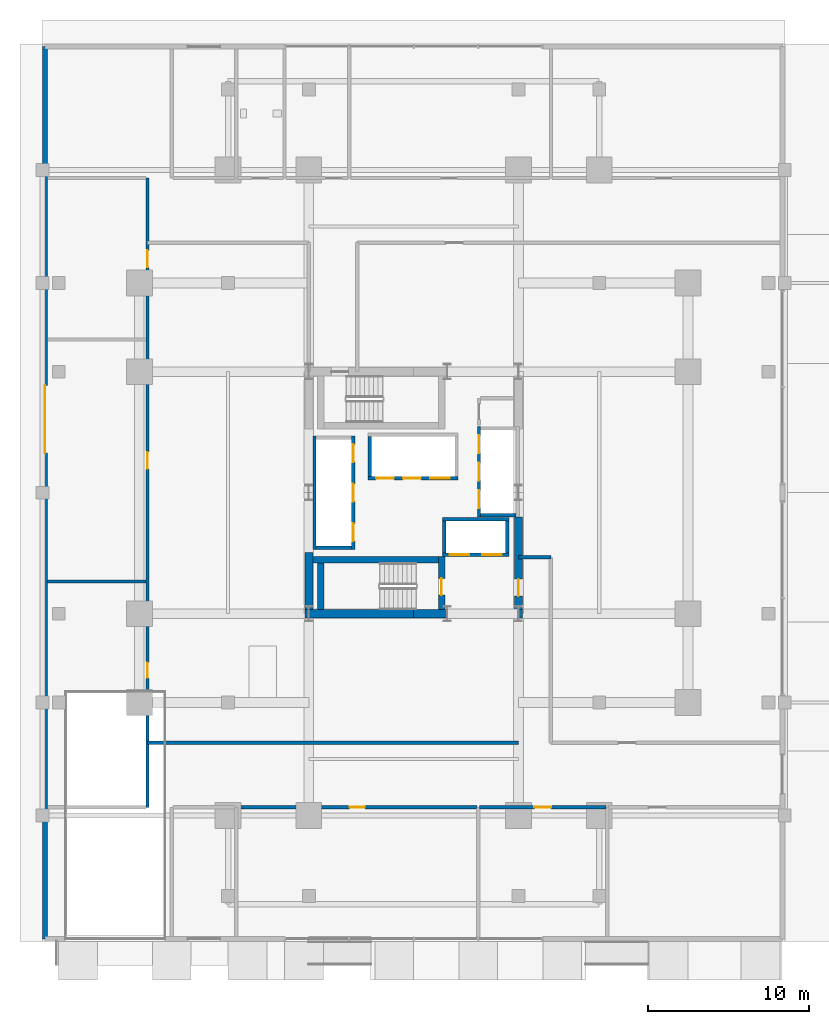
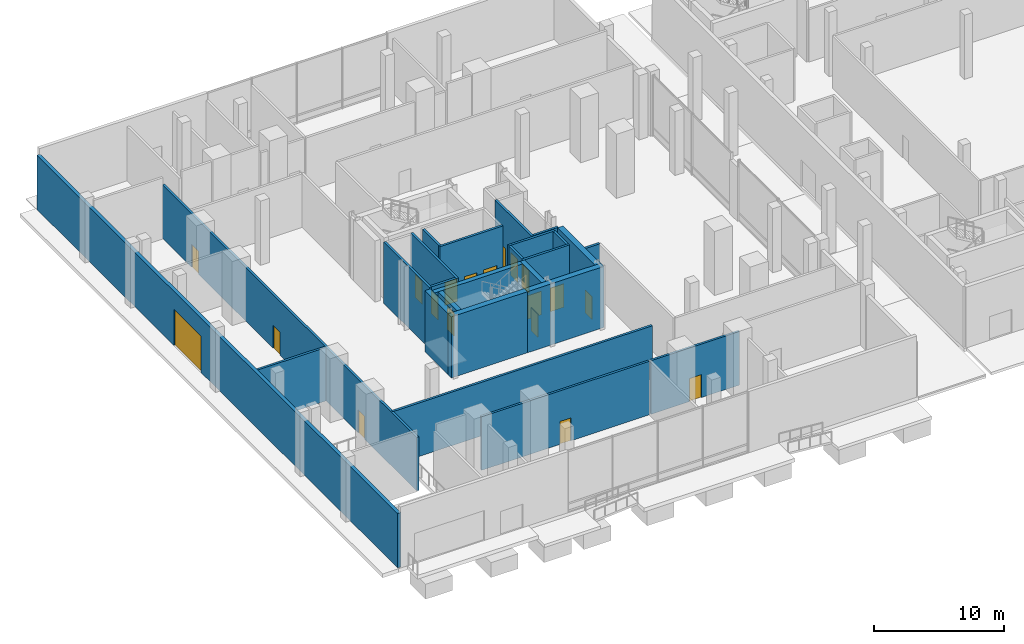
# One storey, part 25 of 34: 25 walls, 19 doors, 19 openings.
"""IFC4 building model written with IfcOpenShell, lengths in metres."""

from ifc_helpers import new_model, si_unit, direction, frame, frame_2d, origin, place, context, subcontext, project, spatial, rectangle, extrude, material, layer, layer_set, type_object, element, fill, save


model = new_model("IFC4")

# Units and contexts
model_context = context("Model", 3, precision=1e-05, world=origin(), true_north=direction((0.0, 1.0)))
body_context = subcontext(model_context, "Body", "Model", "MODEL_VIEW")
ifc_project = project(units=[si_unit("LENGTHUNIT", "METRE"), si_unit("AREAUNIT", "SQUARE_METRE"), si_unit("VOLUMEUNIT", "CUBIC_METRE"), si_unit("PLANEANGLEUNIT", "RADIAN"), si_unit("MASSUNIT", "GRAM", prefix="KILO")], contexts=[model_context])

# Site, building, storey
site_placement = place(None, origin())
site = spatial("IfcSite", under=ifc_project, at=site_placement, CompositionType="ELEMENT")
building_placement = place(site_placement, origin())
building = spatial("IfcBuilding", under=site, at=building_placement, Name="Barlavira Tower and Art Museum", CompositionType="ELEMENT")
storey_placement = place(building_placement, origin())
storey = spatial("IfcBuildingStorey", under=building, at=storey_placement, Name="L00", CompositionType="ELEMENT", Elevation=0.0)

# Walls
ifc_material_1 = material(Name="Concrete C60", Category="concrete")
ifc_layer_1 = layer(ifc_material_1, 0.5, Name="Concrete C60")
ifc_layer_set_1 = layer_set([ifc_layer_1], Name="Concrete C60")
wall_type_1 = type_object("IfcWallType", Name="Core Structural Shear Wall 500 Concrete C60", PredefinedType="SHEAR", material=ifc_layer_set_1)
for number, where, z_axis, x_axis, name in (
    (1, (-6.75, -7.5, 0.0), (0.0, 0.0, 1.0), (1.0, 0.0, 0.0), "L00 Core Shear Wall CS-SW"),
    (2, (0.0, -7.5, 0.0), (0.0, 0.0, 1.0), (1.0, 0.0, 0.0), "L00 Core Shear Wall CS-SE"),
):
    element("IfcWall", number, at=place(storey_placement, frame(where, z_axis=z_axis, x_axis=x_axis)), inside=storey, type_object=wall_type_1, Name=name, PredefinedType="SHEAR", context=body_context, shape_type="SweptSolid", body=[
        extrude(rectangle(XDim=6.75, YDim=0.5, at=frame_2d((3.375, 0.0))), origin(), (0.0, 0.0, 1.0), 5.719970703125),
    ])
wall_1_placement = place(storey_placement, frame((-6.5, -7.25, 0.0), z_axis=(0.0, 0.0, 1.0), x_axis=(0.0, 1.0, 0.0)))
element("IfcWall", 3, at=wall_1_placement, inside=storey, type_object=wall_type_1, Name="L00 Core Shear Wall CS-W1", PredefinedType="SHEAR", context=body_context, shape_type="SweptSolid", body=[
    extrude(rectangle(XDim=3.550048828125, YDim=0.5, at=frame_2d((1.77490234375, 0.0))), origin(), (0.0, 0.0, 1.0), 5.719970703125),
])

# Wall, opening, door
wall_2_placement = place(storey_placement, frame((6.5, -7.25, 0.0), z_axis=(0.0, 0.0, 1.0), x_axis=(0.0, 1.0, 0.0)))
wall_2 = element("IfcWall", 4, at=wall_2_placement, inside=storey, type_object=wall_type_1, Name="L00 Core Shear Wall CS-E1", PredefinedType="SHEAR", context=body_context, shape_type="SweptSolid", body=[
    extrude(rectangle(XDim=5.75, YDim=0.5, at=frame_2d((2.875, 0.0))), origin(), (0.0, 0.0, 1.0), 5.719970703125),
])
opening_1_placement = place(wall_2_placement, frame((0.85009765625, 0.0, 0.0)))
opening_1 = element("IfcOpeningElement", 5, at=opening_1_placement, cuts=wall_2, Name="Opening FD-90", PredefinedType="OPENING", context=body_context, shape_type="SweptSolid", body=[
    extrude(rectangle(XDim=1.050048828125, YDim=2.14990234375, at=frame_2d((0.52490234375, 1.074951171875))), frame((0.0, 0.260009765625, 0.0), z_axis=(0.0, -1.0, 0.0), x_axis=(1.0, 0.0, 0.0)), (0.0, 0.0, 1.0), 0.52001953125),
])
ifc_material_2 = material(Name="Brushed stainless steel", Category="steel")
door_type_1 = type_object("IfcDoorType", Name="Stair and Refuge Fire Door 1050x2150 FD90S", OperationType="NOTDEFINED", PredefinedType="DOOR", material=ifc_material_2)
door_1_placement = place(opening_1_placement, origin())
door_1 = element("IfcDoor", 6, at=door_1_placement, inside=storey, type_object=door_type_1, Name="L00 Firefighting Lobby Entry Fire Door", OperationType="SINGLE_SWING_LEFT", OverallHeight=2.14990234375, OverallWidth=1.050048828125, PredefinedType="DOOR", context=body_context, shape_type="SweptSolid", body=[
    extrude(rectangle(XDim=1.050048828125, YDim=2.14990234375, at=frame_2d((0.52490234375, 1.074951171875))), frame((0.0, 0.02490234375, 0.0), z_axis=(0.0, -1.0, 0.0), x_axis=(1.0, 0.0, 0.0)), (0.0, 0.0, 1.0), 0.050048828125),
])
fill(opening_1, door_1)

# Wall, openings, doors
ifc_material_3 = material(Name="Autoclaved aerated concrete masonry", Category="masonry")
ifc_layer_2 = layer(ifc_material_3, 0.199951171875, Name="Autoclaved aerated concrete masonry")
ifc_layer_set_2 = layer_set([ifc_layer_2], Name="Autoclaved aerated concrete masonry")
wall_type_2 = type_object("IfcWallType", Name="Fire Compartment and Shaft Wall 200", PredefinedType="SOLIDWALL", material=ifc_layer_set_2)
wall_3_placement = place(storey_placement, frame((-3.75, -3.510009765625, 0.0), z_axis=(0.0, 0.0, 1.0), x_axis=(0.0, 1.0, 0.0)))
wall_3 = element("IfcWall", 7, at=wall_3_placement, inside=storey, type_object=wall_type_2, Name="L00 Low-Rise Lift Front Shaft Wall", PredefinedType="SOLIDWALL", context=body_context, shape_type="SweptSolid", body=[
    extrude(rectangle(XDim=7.02001953125, YDim=0.199951171875, at=frame_2d((3.510009765625, 0.0))), origin(), (0.0, 0.0, 1.0), 5.719970703125),
])
opening_2_placement = place(wall_3_placement, frame((0.510009765625, 0.0, 0.0)))
opening_2 = element("IfcOpeningElement", 8, at=opening_2_placement, cuts=wall_3, Name="Opening LD-P", PredefinedType="OPENING", context=body_context, shape_type="SweptSolid", body=[
    extrude(rectangle(XDim=1.10009765625, YDim=2.14990234375, at=frame_2d((0.550048828125, 1.074951171875))), frame((0.0, 0.10986328125, 0.0), z_axis=(0.0, -1.0, 0.0), x_axis=(1.0, 0.0, 0.0)), (0.0, 0.0, 1.0), 0.219970703125),
])
opening_3_placement = place(wall_3_placement, frame((2.9599609375, 0.0, 0.0)))
opening_3 = element("IfcOpeningElement", 9, at=opening_3_placement, cuts=wall_3, Name="Opening LD-P", PredefinedType="OPENING", context=body_context, shape_type="SweptSolid", body=[
    extrude(rectangle(XDim=1.10009765625, YDim=2.14990234375, at=frame_2d((0.550048828125, 1.074951171875))), frame((0.0, 0.10986328125, 0.0), z_axis=(0.0, -1.0, 0.0), x_axis=(1.0, 0.0, 0.0)), (0.0, 0.0, 1.0), 0.219970703125),
])
opening_4_placement = place(wall_3_placement, frame((5.409912109375, 0.0, 0.0)))
opening_4 = element("IfcOpeningElement", 10, at=opening_4_placement, cuts=wall_3, Name="Opening LD-P", PredefinedType="OPENING", context=body_context, shape_type="SweptSolid", body=[
    extrude(rectangle(XDim=1.10009765625, YDim=2.14990234375, at=frame_2d((0.550048828125, 1.074951171875))), frame((0.0, 0.10986328125, 0.0), z_axis=(0.0, -1.0, 0.0), x_axis=(1.0, 0.0, 0.0)), (0.0, 0.0, 1.0), 0.219970703125),
])
door_type_2 = type_object("IfcDoorType", Name="Passenger Lift Sliding Landing Door 1100x2150 FD60", OperationType="NOTDEFINED", PredefinedType="DOOR", material=ifc_material_2)
door_2_placement = place(opening_2_placement, origin())
door_2 = element("IfcDoor", 11, at=door_2_placement, inside=storey, type_object=door_type_2, Name="L00 Lift PL1 Sliding Landing Door", OperationType="DOUBLE_DOOR_SLIDING", OverallHeight=2.14990234375, OverallWidth=1.10009765625, PredefinedType="DOOR", context=body_context, shape_type="SweptSolid", body=[
    extrude(rectangle(XDim=1.10009765625, YDim=2.14990234375, at=frame_2d((0.550048828125, 1.074951171875))), frame((0.0, 0.02490234375, 0.0), z_axis=(0.0, -1.0, 0.0), x_axis=(1.0, 0.0, 0.0)), (0.0, 0.0, 1.0), 0.050048828125),
])
fill(opening_2, door_2)
door_3_placement = place(opening_3_placement, origin())
door_3 = element("IfcDoor", 12, at=door_3_placement, inside=storey, type_object=door_type_2, Name="L00 Lift PL2 Sliding Landing Door", OperationType="DOUBLE_DOOR_SLIDING", OverallHeight=2.14990234375, OverallWidth=1.10009765625, PredefinedType="DOOR", context=body_context, shape_type="SweptSolid", body=[
    extrude(rectangle(XDim=1.10009765625, YDim=2.14990234375, at=frame_2d((0.550048828125, 1.074951171875))), frame((0.0, 0.02490234375, 0.0), z_axis=(0.0, -1.0, 0.0), x_axis=(1.0, 0.0, 0.0)), (0.0, 0.0, 1.0), 0.050048828125),
])
fill(opening_3, door_3)
door_4_placement = place(opening_4_placement, origin())
door_4 = element("IfcDoor", 13, at=door_4_placement, inside=storey, type_object=door_type_2, Name="L00 Lift PL3 Sliding Landing Door", OperationType="DOUBLE_DOOR_SLIDING", OverallHeight=2.14990234375, OverallWidth=1.10009765625, PredefinedType="DOOR", context=body_context, shape_type="SweptSolid", body=[
    extrude(rectangle(XDim=1.10009765625, YDim=2.14990234375, at=frame_2d((0.550048828125, 1.074951171875))), frame((0.0, 0.02490234375, 0.0), z_axis=(0.0, -1.0, 0.0), x_axis=(1.0, 0.0, 0.0)), (0.0, 0.0, 1.0), 0.050048828125),
])
fill(opening_4, door_4)

# Walls
wall_4_placement = place(storey_placement, frame((-6.14990234375, -3.510009765625, 0.0), z_axis=(0.0, 0.0, 1.0), x_axis=(0.0, 1.0, 0.0)))
element("IfcWall", 14, at=wall_4_placement, inside=storey, type_object=wall_type_2, Name="L00 Low-Rise Lift Back Shaft Wall", PredefinedType="SOLIDWALL", context=body_context, shape_type="SweptSolid", body=[
    extrude(rectangle(XDim=7.02001953125, YDim=0.199951171875, at=frame_2d((3.510009765625, 0.0))), origin(), (0.0, 0.0, 1.0), 5.719970703125),
])
wall_5_placement = place(storey_placement, frame((-6.050048828125, -3.409912109375, 0.0), z_axis=(0.0, 0.0, 1.0), x_axis=(1.0, 0.0, 0.0)))
element("IfcWall", 15, at=wall_5_placement, inside=storey, type_object=wall_type_2, Name="L00 Low-Rise Lift South Shaft Wall", PredefinedType="SOLIDWALL", context=body_context, shape_type="SweptSolid", body=[
    extrude(rectangle(XDim=2.199951171875, YDim=0.199951171875, at=frame_2d((1.10009765625, 0.0))), origin(), (0.0, 0.0, 1.0), 5.719970703125),
])

# Wall, openings, doors
wall_6_placement = place(storey_placement, frame((4.050048828125, -1.489990234375, 0.0), z_axis=(0.0, 0.0, 1.0), x_axis=(0.0, 1.0, 0.0)))
wall_6 = element("IfcWall", 16, at=wall_6_placement, inside=storey, type_object=wall_type_2, Name="L00 Mid-Rise Lift Front Shaft Wall", PredefinedType="SOLIDWALL", context=body_context, shape_type="SweptSolid", body=[
    extrude(rectangle(XDim=5.580078125, YDim=0.199951171875, at=frame_2d((2.7900390625, 0.0))), origin(), (0.0, 0.0, 1.0), 5.719970703125),
])
opening_5_placement = place(wall_6_placement, frame((0.5400390625, 0.0, 0.0)))
opening_5 = element("IfcOpeningElement", 17, at=opening_5_placement, cuts=wall_6, Name="Opening LD-P", PredefinedType="OPENING", context=body_context, shape_type="SweptSolid", body=[
    extrude(rectangle(XDim=1.10009765625, YDim=2.14990234375, at=frame_2d((0.550048828125, 1.074951171875))), frame((0.0, 0.10986328125, 0.0), z_axis=(0.0, -1.0, 0.0), x_axis=(1.0, 0.0, 0.0)), (0.0, 0.0, 1.0), 0.219970703125),
])
opening_6_placement = place(wall_6_placement, frame((2.239990234375, 0.0, 0.0)))
opening_6 = element("IfcOpeningElement", 18, at=opening_6_placement, cuts=wall_6, Name="Opening LD-P", PredefinedType="OPENING", context=body_context, shape_type="SweptSolid", body=[
    extrude(rectangle(XDim=1.10009765625, YDim=2.14990234375, at=frame_2d((0.550048828125, 1.074951171875))), frame((0.0, 0.10986328125, 0.0), z_axis=(0.0, -1.0, 0.0), x_axis=(1.0, 0.0, 0.0)), (0.0, 0.0, 1.0), 0.219970703125),
])
opening_7_placement = place(wall_6_placement, frame((3.93994140625, 0.0, 0.0)))
opening_7 = element("IfcOpeningElement", 19, at=opening_7_placement, cuts=wall_6, Name="Opening LD-P", PredefinedType="OPENING", context=body_context, shape_type="SweptSolid", body=[
    extrude(rectangle(XDim=1.10009765625, YDim=2.14990234375, at=frame_2d((0.550048828125, 1.074951171875))), frame((0.0, 0.10986328125, 0.0), z_axis=(0.0, -1.0, 0.0), x_axis=(1.0, 0.0, 0.0)), (0.0, 0.0, 1.0), 0.219970703125),
])
door_5_placement = place(opening_5_placement, origin())
door_5 = element("IfcDoor", 20, at=door_5_placement, inside=storey, type_object=door_type_2, Name="L00 Lift PM1 Sliding Landing Door", OperationType="DOUBLE_DOOR_SLIDING", OverallHeight=2.14990234375, OverallWidth=1.10009765625, PredefinedType="DOOR", context=body_context, shape_type="SweptSolid", body=[
    extrude(rectangle(XDim=1.10009765625, YDim=2.14990234375, at=frame_2d((0.550048828125, 1.074951171875))), frame((0.0, 0.02490234375, 0.0), z_axis=(0.0, -1.0, 0.0), x_axis=(1.0, 0.0, 0.0)), (0.0, 0.0, 1.0), 0.050048828125),
])
fill(opening_5, door_5)
door_6_placement = place(opening_6_placement, origin())
door_6 = element("IfcDoor", 21, at=door_6_placement, inside=storey, type_object=door_type_2, Name="L00 Lift PM2 Sliding Landing Door", OperationType="DOUBLE_DOOR_SLIDING", OverallHeight=2.14990234375, OverallWidth=1.10009765625, PredefinedType="DOOR", context=body_context, shape_type="SweptSolid", body=[
    extrude(rectangle(XDim=1.10009765625, YDim=2.14990234375, at=frame_2d((0.550048828125, 1.074951171875))), frame((0.0, 0.02490234375, 0.0), z_axis=(0.0, -1.0, 0.0), x_axis=(1.0, 0.0, 0.0)), (0.0, 0.0, 1.0), 0.050048828125),
])
fill(opening_6, door_6)
door_7_placement = place(opening_7_placement, origin())
door_7 = element("IfcDoor", 22, at=door_7_placement, inside=storey, type_object=door_type_2, Name="L00 Lift PM3 Sliding Landing Door", OperationType="DOUBLE_DOOR_SLIDING", OverallHeight=2.14990234375, OverallWidth=1.10009765625, PredefinedType="DOOR", context=body_context, shape_type="SweptSolid", body=[
    extrude(rectangle(XDim=1.10009765625, YDim=2.14990234375, at=frame_2d((0.550048828125, 1.074951171875))), frame((0.0, 0.02490234375, 0.0), z_axis=(0.0, -1.0, 0.0), x_axis=(1.0, 0.0, 0.0)), (0.0, 0.0, 1.0), 0.050048828125),
])
fill(opening_7, door_7)

# Wall
wall_7_placement = place(storey_placement, frame((4.14990234375, -1.389892578125, 0.0), z_axis=(0.0, 0.0, 1.0), x_axis=(1.0, 0.0, 0.0)))
element("IfcWall", 23, at=wall_7_placement, inside=storey, type_object=wall_type_2, Name="L00 Mid-Rise Lift South Shaft Wall", PredefinedType="SOLIDWALL", context=body_context, shape_type="SweptSolid", body=[
    extrude(rectangle(XDim=2.2001953125, YDim=0.199951171875, at=frame_2d((1.10009765625, 0.0))), origin(), (0.0, 0.0, 1.0), 5.719970703125),
])

# Wall, openings, doors
wall_8_placement = place(storey_placement, frame((-2.820068359375, 0.89990234375, 0.0), z_axis=(0.0, 0.0, 1.0), x_axis=(1.0, 0.0, 0.0)))
wall_8 = element("IfcWall", 24, at=wall_8_placement, inside=storey, type_object=wall_type_2, Name="L00 High-Rise & Service Lift Front Wall", PredefinedType="SOLIDWALL", context=body_context, shape_type="SweptSolid", body=[
    extrude(rectangle(XDim=5.580078125, YDim=0.199951171875, at=frame_2d((2.7900390625, 0.0))), origin(), (0.0, 0.0, 1.0), 5.719970703125),
])
opening_8_placement = place(wall_8_placement, frame((0.489990234375, 0.0, 0.0)))
opening_8 = element("IfcOpeningElement", 25, at=opening_8_placement, cuts=wall_8, Name="Opening LD-P", PredefinedType="OPENING", context=body_context, shape_type="SweptSolid", body=[
    extrude(rectangle(XDim=1.10009765625, YDim=2.14990234375, at=frame_2d((0.550048828125, 1.074951171875))), frame((0.0, 0.10986328125, 0.0), z_axis=(0.0, -1.0, 0.0), x_axis=(1.0, 0.0, 0.0)), (0.0, 0.0, 1.0), 0.219970703125),
])
opening_9_placement = place(wall_8_placement, frame((2.169921875, 0.0, 0.0)))
opening_9 = element("IfcOpeningElement", 26, at=opening_9_placement, cuts=wall_8, Name="Opening LD-P", PredefinedType="OPENING", context=body_context, shape_type="SweptSolid", body=[
    extrude(rectangle(XDim=1.10009765625, YDim=2.14990234375, at=frame_2d((0.550048828125, 1.074951171875))), frame((0.0, 0.10986328125, 0.0), z_axis=(0.0, -1.0, 0.0), x_axis=(1.0, 0.0, 0.0)), (0.0, 0.0, 1.0), 0.219970703125),
])
opening_10_placement = place(wall_8_placement, frame((3.860107421875, 0.0, 0.0)))
opening_10 = element("IfcOpeningElement", 27, at=opening_10_placement, cuts=wall_8, Name="Opening LD-F", PredefinedType="OPENING", context=body_context, shape_type="SweptSolid", body=[
    extrude(rectangle(XDim=1.199951171875, YDim=2.199951171875, at=frame_2d((0.60009765625, 1.10009765625))), frame((0.0, 0.10986328125, 0.0), z_axis=(0.0, -1.0, 0.0), x_axis=(1.0, 0.0, 0.0)), (0.0, 0.0, 1.0), 0.219970703125),
])
door_type_3 = type_object("IfcDoorType", Name="Firefighting and Service Lift Sliding Door 1200x2200 FD120", OperationType="NOTDEFINED", PredefinedType="DOOR", material=ifc_material_2)
door_8_placement = place(opening_10_placement, origin())
door_8 = element("IfcDoor", 28, at=door_8_placement, inside=storey, type_object=door_type_3, Name="L00 Stretcher Service Lift SL1 Sliding Door", OperationType="DOUBLE_DOOR_SLIDING", OverallHeight=2.199951171875, OverallWidth=1.199951171875, PredefinedType="DOOR", context=body_context, shape_type="SweptSolid", body=[
    extrude(rectangle(XDim=1.199951171875, YDim=2.199951171875, at=frame_2d((0.60009765625, 1.10009765625))), frame((0.0, 0.02490234375, 0.0), z_axis=(0.0, -1.0, 0.0), x_axis=(1.0, 0.0, 0.0)), (0.0, 0.0, 1.0), 0.050048828125),
])
fill(opening_10, door_8)
door_9_placement = place(opening_8_placement, origin())
door_9 = element("IfcDoor", 29, at=door_9_placement, inside=storey, type_object=door_type_2, Name="L00 Lift PH1 Sliding Landing Door", OperationType="DOUBLE_DOOR_SLIDING", OverallHeight=2.14990234375, OverallWidth=1.10009765625, PredefinedType="DOOR", context=body_context, shape_type="SweptSolid", body=[
    extrude(rectangle(XDim=1.10009765625, YDim=2.14990234375, at=frame_2d((0.550048828125, 1.074951171875))), frame((0.0, 0.02490234375, 0.0), z_axis=(0.0, -1.0, 0.0), x_axis=(1.0, 0.0, 0.0)), (0.0, 0.0, 1.0), 0.050048828125),
])
fill(opening_8, door_9)
door_10_placement = place(opening_9_placement, origin())
door_10 = element("IfcDoor", 30, at=door_10_placement, inside=storey, type_object=door_type_2, Name="L00 Lift PH2 Sliding Landing Door", OperationType="DOUBLE_DOOR_SLIDING", OverallHeight=2.14990234375, OverallWidth=1.10009765625, PredefinedType="DOOR", context=body_context, shape_type="SweptSolid", body=[
    extrude(rectangle(XDim=1.10009765625, YDim=2.14990234375, at=frame_2d((0.550048828125, 1.074951171875))), frame((0.0, 0.02490234375, 0.0), z_axis=(0.0, -1.0, 0.0), x_axis=(1.0, 0.0, 0.0)), (0.0, 0.0, 1.0), 0.050048828125),
])
fill(opening_9, door_10)

# Wall
wall_9_placement = place(storey_placement, frame((-2.719970703125, 1.0, 0.0), z_axis=(0.0, 0.0, 1.0), x_axis=(0.0, 1.0, 0.0)))
element("IfcWall", 31, at=wall_9_placement, inside=storey, type_object=wall_type_2, Name="L00 High-Rise & Service Lift West Wall", PredefinedType="SOLIDWALL", context=body_context, shape_type="SweptSolid", body=[
    extrude(rectangle(XDim=2.5, YDim=0.199951171875, at=frame_2d((1.25, 0.0))), origin(), (0.0, 0.0, 1.0), 5.719970703125),
])

# Wall, openings, doors
wall_10_placement = place(storey_placement, frame((1.800048828125, -3.85009765625, 0.0), z_axis=(0.0, 0.0, 1.0), x_axis=(1.0, 0.0, 0.0)))
wall_10 = element("IfcWall", 32, at=wall_10_placement, inside=storey, type_object=wall_type_2, Name="L00 Firefighting Lift Front Shaft Wall", PredefinedType="SOLIDWALL", context=body_context, shape_type="SweptSolid", body=[
    extrude(rectangle(XDim=4.099853515625, YDim=0.199951171875, at=frame_2d((2.0498046875, 0.0))), origin(), (0.0, 0.0, 1.0), 5.719970703125),
])
opening_11_placement = place(wall_10_placement, frame((0.449951171875, 0.0, 0.0)))
opening_11 = element("IfcOpeningElement", 33, at=opening_11_placement, cuts=wall_10, Name="Opening LD-F", PredefinedType="OPENING", context=body_context, shape_type="SweptSolid", body=[
    extrude(rectangle(XDim=1.199951171875, YDim=2.199951171875, at=frame_2d((0.60009765625, 1.10009765625))), frame((0.0, 0.10986328125, 0.0), z_axis=(0.0, -1.0, 0.0), x_axis=(1.0, 0.0, 0.0)), (0.0, 0.0, 1.0), 0.219970703125),
])
opening_12_placement = place(wall_10_placement, frame((2.449951171875, 0.0, 0.0)))
opening_12 = element("IfcOpeningElement", 34, at=opening_12_placement, cuts=wall_10, Name="Opening LD-F", PredefinedType="OPENING", context=body_context, shape_type="SweptSolid", body=[
    extrude(rectangle(XDim=1.199951171875, YDim=2.199951171875, at=frame_2d((0.60009765625, 1.10009765625))), frame((0.0, 0.10986328125, 0.0), z_axis=(0.0, -1.0, 0.0), x_axis=(1.0, 0.0, 0.0)), (0.0, 0.0, 1.0), 0.219970703125),
])
door_11_placement = place(opening_11_placement, origin())
door_11 = element("IfcDoor", 35, at=door_11_placement, inside=storey, type_object=door_type_3, Name="L00 Firefighting Lift FF1 Sliding Door", OperationType="DOUBLE_DOOR_SLIDING", OverallHeight=2.199951171875, OverallWidth=1.199951171875, PredefinedType="DOOR", context=body_context, shape_type="SweptSolid", body=[
    extrude(rectangle(XDim=1.199951171875, YDim=2.199951171875, at=frame_2d((0.60009765625, 1.10009765625))), frame((0.0, 0.02490234375, 0.0), z_axis=(0.0, -1.0, 0.0), x_axis=(1.0, 0.0, 0.0)), (0.0, 0.0, 1.0), 0.050048828125),
])
fill(opening_11, door_11)
door_12_placement = place(opening_12_placement, origin())
door_12 = element("IfcDoor", 36, at=door_12_placement, inside=storey, type_object=door_type_3, Name="L00 Firefighting Lift FF2 Sliding Door", OperationType="DOUBLE_DOOR_SLIDING", OverallHeight=2.199951171875, OverallWidth=1.199951171875, PredefinedType="DOOR", context=body_context, shape_type="SweptSolid", body=[
    extrude(rectangle(XDim=1.199951171875, YDim=2.199951171875, at=frame_2d((0.60009765625, 1.10009765625))), frame((0.0, 0.02490234375, 0.0), z_axis=(0.0, -1.0, 0.0), x_axis=(1.0, 0.0, 0.0)), (0.0, 0.0, 1.0), 0.050048828125),
])
fill(opening_12, door_12)

# Walls
wall_11_placement = place(storey_placement, frame((1.800048828125, -1.64990234375, 0.0), z_axis=(0.0, 0.0, 1.0), x_axis=(1.0, 0.0, 0.0)))
element("IfcWall", 37, at=wall_11_placement, inside=storey, type_object=wall_type_2, Name="L00 Firefighting Lift Back Shaft Wall", PredefinedType="SOLIDWALL", context=body_context, shape_type="SweptSolid", body=[
    extrude(rectangle(XDim=4.099853515625, YDim=0.199951171875, at=frame_2d((2.0498046875, 0.0))), origin(), (0.0, 0.0, 1.0), 5.719970703125),
])
for number, where, z_axis, x_axis, name in (
    (38, (1.89990234375, -3.75, 0.0), (0.0, 0.0, 1.0), (0.0, 1.0, 0.0), "L00 Firefighting Lift West Shaft Wall"),
    (39, (5.800048828125, -3.75, 0.0), (0.0, 0.0, 1.0), (0.0, 1.0, 0.0), "L00 Firefighting Lift East Shaft Wall"),
):
    element("IfcWall", number, at=place(storey_placement, frame(where, z_axis=z_axis, x_axis=x_axis)), inside=storey, type_object=wall_type_2, Name=name, PredefinedType="SOLIDWALL", context=body_context, shape_type="SweptSolid", body=[
        extrude(rectangle(XDim=2.0, YDim=0.199951171875, at=frame_2d((1.0, 0.0))), origin(), (0.0, 0.0, 1.0), 5.719970703125),
    ])
wall_12_placement = place(storey_placement, frame((-16.5, -15.5, 0.0), z_axis=(0.0, 0.0, 1.0), x_axis=(1.0, 0.0, 0.0)))
element("IfcWall", 40, at=wall_12_placement, inside=storey, type_object=wall_type_2, Name="L00 South Protected Exit Corridor Wall W", PredefinedType="SOLIDWALL", context=body_context, shape_type="SweptSolid", body=[
    extrude(rectangle(XDim=23.0, YDim=0.199951171875, at=frame_2d((11.5, 0.0))), origin(), (0.0, 0.0, 1.0), 5.010009765625),
])
wall_13_placement = place(storey_placement, frame((6.5, -4.0, 0.0), z_axis=(0.0, 0.0, 1.0), x_axis=(1.0, 0.0, 0.0)))
element("IfcWall", 41, at=wall_13_placement, inside=storey, type_object=wall_type_2, Name="L00 ST-T1 Protected Discharge Link North Wall", PredefinedType="SOLIDWALL", context=body_context, shape_type="SweptSolid", body=[
    extrude(rectangle(XDim=2.0, YDim=0.199951171875, at=frame_2d((1.0, 0.0))), origin(), (0.0, 0.0, 1.0), 5.010009765625),
])

# Wall, openings, doors
wall_14_placement = place(storey_placement, frame((-16.5, -19.5, 0.0), z_axis=(0.0, 0.0, 1.0), x_axis=(0.0, 1.0, 0.0)))
wall_14 = element("IfcWall", 42, at=wall_14_placement, inside=storey, type_object=wall_type_2, Name="L00 Partition Wall 1", PredefinedType="SOLIDWALL", context=body_context, shape_type="SweptSolid", body=[
    extrude(rectangle(XDim=39.0, YDim=0.199951171875, at=frame_2d((19.5, 0.0))), origin(), (0.0, 0.0, 1.0), 5.010009765625),
])
opening_13_placement = place(wall_14_placement, frame((20.97509765625, 0.0, 0.0)))
opening_13 = element("IfcOpeningElement", 43, at=opening_13_placement, cuts=wall_14, Name="Opening FD-90", PredefinedType="OPENING", context=body_context, shape_type="SweptSolid", body=[
    extrude(rectangle(XDim=1.050048828125, YDim=2.14990234375, at=frame_2d((0.52490234375, 1.074951171875))), frame((0.0, 0.10986328125, 0.0), z_axis=(0.0, -1.0, 0.0), x_axis=(1.0, 0.0, 0.0)), (0.0, 0.0, 1.0), 0.219970703125),
])
opening_14_placement = place(wall_14_placement, frame((8.02490234375, 0.0, 0.0)))
opening_14 = element("IfcOpeningElement", 44, at=opening_14_placement, cuts=wall_14, Name="Opening FD-60", PredefinedType="OPENING", context=body_context, shape_type="SweptSolid", body=[
    extrude(rectangle(XDim=0.949951171875, YDim=2.14990234375, at=frame_2d((0.47509765625, 1.074951171875))), frame((0.0, 0.10986328125, 0.0), z_axis=(0.0, -1.0, 0.0), x_axis=(1.0, 0.0, 0.0)), (0.0, 0.0, 1.0), 0.219970703125),
])
opening_15_placement = place(wall_14_placement, frame((33.47509765625, 0.0, 0.0)))
opening_15 = element("IfcOpeningElement", 45, at=opening_15_placement, cuts=wall_14, Name="Opening FD-90", PredefinedType="OPENING", context=body_context, shape_type="SweptSolid", body=[
    extrude(rectangle(XDim=1.050048828125, YDim=2.14990234375, at=frame_2d((0.52490234375, 1.074951171875))), frame((0.0, 0.10986328125, 0.0), z_axis=(0.0, -1.0, 0.0), x_axis=(1.0, 0.0, 0.0)), (0.0, 0.0, 1.0), 0.219970703125),
])
door_type_4 = type_object("IfcDoorType", Name="Apartment Entrance and Riser Fire Door 950x2150 FD60S", OperationType="NOTDEFINED", PredefinedType="DOOR", material=ifc_material_2)
door_13_placement = place(opening_14_placement, origin())
door_13 = element("IfcDoor", 46, at=door_13_placement, inside=storey, type_object=door_type_4, Name="Podium Ground Maintenance Store Door", OperationType="SINGLE_SWING_LEFT", OverallHeight=2.14990234375, OverallWidth=0.949951171875, PredefinedType="DOOR", context=body_context, shape_type="SweptSolid", body=[
    extrude(rectangle(XDim=0.949951171875, YDim=2.14990234375, at=frame_2d((0.47509765625, 1.074951171875))), frame((0.0, 0.02490234375, 0.0), z_axis=(0.0, -1.0, 0.0), x_axis=(1.0, 0.0, 0.0)), (0.0, 0.0, 1.0), 0.050048828125),
])
fill(opening_14, door_13)
door_14_placement = place(opening_13_placement, origin())
door_14 = element("IfcDoor", 47, at=door_14_placement, inside=storey, type_object=door_type_1, Name="Enclosed Service Loading and Art Crating Bay Door", OperationType="SINGLE_SWING_RIGHT", OverallHeight=2.14990234375, OverallWidth=1.050048828125, PredefinedType="DOOR", context=body_context, shape_type="SweptSolid", body=[
    extrude(rectangle(XDim=1.050048828125, YDim=2.14990234375, at=frame_2d((0.52490234375, 1.074951171875))), frame((0.0, 0.02490234375, 0.0), z_axis=(0.0, -1.0, 0.0), x_axis=(1.0, 0.0, 0.0)), (0.0, 0.0, 1.0), 0.050048828125),
])
fill(opening_13, door_14)
door_15_placement = place(opening_15_placement, origin())
door_15 = element("IfcDoor", 48, at=door_15_placement, inside=storey, type_object=door_type_1, Name="Podium Ground Electrical Intake Room Door", OperationType="SINGLE_SWING_RIGHT", OverallHeight=2.14990234375, OverallWidth=1.050048828125, PredefinedType="DOOR", context=body_context, shape_type="SweptSolid", body=[
    extrude(rectangle(XDim=1.050048828125, YDim=2.14990234375, at=frame_2d((0.52490234375, 1.074951171875))), frame((0.0, 0.02490234375, 0.0), z_axis=(0.0, -1.0, 0.0), x_axis=(1.0, 0.0, 0.0)), (0.0, 0.0, 1.0), 0.050048828125),
])
fill(opening_15, door_15)

# Wall, opening, door
wall_15_placement = place(storey_placement, frame((-10.919921875, -19.5, 0.0), z_axis=(0.0, 0.0, 1.0), x_axis=(1.0, 0.0, 0.0)))
wall_15 = element("IfcWall", 49, at=wall_15_placement, inside=storey, type_object=wall_type_2, Name="L00 Partition Wall 19", PredefinedType="SOLIDWALL", context=body_context, shape_type="SweptSolid", body=[
    extrude(rectangle(XDim=14.83984375, YDim=0.199951171875, at=frame_2d((7.419921875, 0.0))), origin(), (0.0, 0.0, 1.0), 5.010009765625),
])
opening_16_placement = place(wall_15_placement, frame((6.945068359375, 0.0, 0.0)))
opening_16 = element("IfcOpeningElement", 50, at=opening_16_placement, cuts=wall_15, Name="Opening FD-60", PredefinedType="OPENING", context=body_context, shape_type="SweptSolid", body=[
    extrude(rectangle(XDim=0.949951171875, YDim=2.14990234375, at=frame_2d((0.47509765625, 1.074951171875))), frame((0.0, 0.10986328125, 0.0), z_axis=(0.0, -1.0, 0.0), x_axis=(1.0, 0.0, 0.0)), (0.0, 0.0, 1.0), 0.219970703125),
])
door_16_placement = place(opening_16_placement, origin())
door_16 = element("IfcDoor", 51, at=door_16_placement, inside=storey, type_object=door_type_4, Name="Secure Resident Bicycle and Surfboard Store Door", OperationType="SINGLE_SWING_RIGHT", OverallHeight=2.14990234375, OverallWidth=0.949951171875, PredefinedType="DOOR", context=body_context, shape_type="SweptSolid", body=[
    extrude(rectangle(XDim=0.949951171875, YDim=2.14990234375, at=frame_2d((0.47509765625, 1.074951171875))), frame((0.0, 0.02490234375, 0.0), z_axis=(0.0, -1.0, 0.0), x_axis=(1.0, 0.0, 0.0)), (0.0, 0.0, 1.0), 0.050048828125),
])
fill(opening_16, door_16)

wall_16_placement = place(storey_placement, frame((4.080078125, -19.5, 0.0), z_axis=(0.0, 0.0, 1.0), x_axis=(1.0, 0.0, 0.0)))
wall_16 = element("IfcWall", 52, at=wall_16_placement, inside=storey, type_object=wall_type_2, Name="L00 Partition Wall 20", PredefinedType="SOLIDWALL", context=body_context, shape_type="SweptSolid", body=[
    extrude(rectangle(XDim=7.83984375, YDim=0.199951171875, at=frame_2d((3.919921875, 0.0))), origin(), (0.0, 0.0, 1.0), 5.010009765625),
])
opening_17_placement = place(wall_16_placement, frame((3.39501953125, 0.0, 0.0)))
opening_17 = element("IfcOpeningElement", 53, at=opening_17_placement, cuts=wall_16, Name="Opening FD-90", PredefinedType="OPENING", context=body_context, shape_type="SweptSolid", body=[
    extrude(rectangle(XDim=1.050048828125, YDim=2.14990234375, at=frame_2d((0.52490234375, 1.074951171875))), frame((0.0, 0.10986328125, 0.0), z_axis=(0.0, -1.0, 0.0), x_axis=(1.0, 0.0, 0.0)), (0.0, 0.0, 1.0), 0.219970703125),
])
door_17_placement = place(opening_17_placement, origin())
door_17 = element("IfcDoor", 54, at=door_17_placement, inside=storey, type_object=door_type_1, Name="Chilled Refuse and Recycling Collection Room Door", OperationType="SINGLE_SWING_LEFT", OverallHeight=2.14990234375, OverallWidth=1.050048828125, PredefinedType="DOOR", context=body_context, shape_type="SweptSolid", body=[
    extrude(rectangle(XDim=1.050048828125, YDim=2.14990234375, at=frame_2d((0.52490234375, 1.074951171875))), frame((0.0, 0.02490234375, 0.0), z_axis=(0.0, -1.0, 0.0), x_axis=(1.0, 0.0, 0.0)), (0.0, 0.0, 1.0), 0.050048828125),
])
fill(opening_17, door_17)

# Wall
wall_17_placement = place(storey_placement, frame((-22.695068359375, -5.5, 0.0), z_axis=(0.0, 0.0, 1.0), x_axis=(1.0, 0.0, 0.0)))
element("IfcWall", 55, at=wall_17_placement, inside=storey, type_object=wall_type_2, Name="L00 Partition Wall 26", PredefinedType="SOLIDWALL", context=body_context, shape_type="SweptSolid", body=[
    extrude(rectangle(XDim=6.114990234375, YDim=0.199951171875, at=frame_2d((3.0576171875, 0.0))), origin(), (0.0, 0.0, 1.0), 5.010009765625),
])

# Wall, opening, door
ifc_material_4 = material(Name="Precast concrete C40", Category="concrete")
ifc_layer_3 = layer(ifc_material_4, 0.300048828125, Name="Precast concrete C40")
ifc_layer_set_3 = layer_set([ifc_layer_3], Name="Precast concrete C40")
wall_type_3 = type_object("IfcWallType", Name="Podium Architectural Precast Facade Wall 300 Concrete C40", PredefinedType="SOLIDWALL", material=ifc_layer_set_3)
wall_18_placement = place(storey_placement, frame((-22.85009765625, 27.64990234375, 0.0), z_axis=(0.0, 0.0, 1.0), x_axis=(0.0, -1.0, 0.0)))
wall_18 = element("IfcWall", 56, at=wall_18_placement, inside=storey, type_object=wall_type_3, Name="L00 Podium West Facade Wall", PredefinedType="SOLIDWALL", context=body_context, shape_type="SweptSolid", body=[
    extrude(rectangle(XDim=55.2998046875, YDim=0.300048828125, at=frame_2d((27.64990234375, 0.0))), origin(), (0.0, 0.0, 1.0), 5.075927734375),
])
opening_18_placement = place(wall_18_placement, frame((21.0, 0.0, 0.0)))
opening_18 = element("IfcOpeningElement", 57, at=opening_18_placement, cuts=wall_18, Name="Opening VG-02", PredefinedType="OPENING", context=body_context, shape_type="SweptSolid", body=[
    extrude(rectangle(XDim=4.199951171875, YDim=3.39990234375, at=frame_2d((2.10009765625, 1.699951171875))), frame((0.0, 0.16015625, 0.0), z_axis=(0.0, -1.0, 0.0), x_axis=(1.0, 0.0, 0.0)), (0.0, 0.0, 1.0), 0.320068359375),
])
ifc_material_5 = material(Name="Galvanised steel", Category="steel")
door_type_5 = type_object("IfcDoorType", Name="Service Loading Dock Overhead Shutter Gate 4200x3400", OperationType="NOTDEFINED", PredefinedType="GATE", material=ifc_material_5)
door_18_placement = place(opening_18_placement, origin())
door_18 = element("IfcDoor", 58, at=door_18_placement, inside=storey, type_object=door_type_5, Name="L00 Loading Dock Overhead Shutter Gate VG-LOAD", OperationType="ROLLINGUP", OverallHeight=3.39990234375, OverallWidth=4.199951171875, PredefinedType="GATE", context=body_context, shape_type="SweptSolid", body=[
    extrude(rectangle(XDim=4.199951171875, YDim=3.39990234375, at=frame_2d((2.10009765625, 1.699951171875))), frame((0.0, 0.02490234375, 0.0), z_axis=(0.0, -1.0, 0.0), x_axis=(1.0, 0.0, 0.0)), (0.0, 0.0, 1.0), 0.050048828125),
])
fill(opening_18, door_18)

# Walls
ifc_material_6 = material(Name="Concrete C55", Category="concrete")
ifc_layer_4 = layer(ifc_material_6, 0.39990234375, Name="Concrete C55")
ifc_layer_set_4 = layer_set([ifc_layer_4], Name="Concrete C55")
wall_type_4 = type_object("IfcWallType", Name="Upper Core Shear Wall 400 Concrete C55", PredefinedType="SHEAR", material=ifc_layer_set_4)
wall_19_placement = place(storey_placement, frame((-5.75, -7.25, 0.0), z_axis=(0.0, 0.0, 1.0), x_axis=(0.0, 1.0, 0.0)))
element("IfcWall", 59, at=wall_19_placement, inside=storey, type_object=wall_type_4, Name="L00 ST-T1 West Half-Landing Wall", PredefinedType="SHEAR", context=body_context, shape_type="SweptSolid", body=[
    extrude(rectangle(XDim=2.89990234375, YDim=0.39990234375, at=frame_2d((1.449951171875, 0.0))), origin(), (0.0, 0.0, 1.0), 5.719970703125),
])
wall_20_placement = place(storey_placement, frame((-6.25, -4.14990234375, 0.0), z_axis=(0.0, 0.0, 1.0), x_axis=(1.0, 0.0, 0.0)))
element("IfcWall", 60, at=wall_20_placement, inside=storey, type_object=wall_type_4, Name="L00 ST-T1 North Shaft Wall", PredefinedType="SHEAR", context=body_context, shape_type="SweptSolid", body=[
    extrude(rectangle(XDim=7.780029296875, YDim=0.39990234375, at=frame_2d((3.89013671875, 0.0))), origin(), (0.0, 0.0, 1.0), 5.719970703125),
])

# Wall, opening, door
wall_21_placement = place(storey_placement, frame((1.72998046875, -7.25, 0.0), z_axis=(0.0, 0.0, 1.0), x_axis=(0.0, 1.0, 0.0)))
wall_21 = element("IfcWall", 61, at=wall_21_placement, inside=storey, type_object=wall_type_4, Name="L00 ST-T1 East Landing Wall", PredefinedType="SHEAR", context=body_context, shape_type="SweptSolid", body=[
    extrude(rectangle(XDim=3.300048828125, YDim=0.39990234375, at=frame_2d((1.64990234375, 0.0))), origin(), (0.0, 0.0, 1.0), 5.719970703125),
])
opening_19_placement = place(wall_21_placement, frame((0.89990234375, 0.0, 0.0)))
opening_19 = element("IfcOpeningElement", 62, at=opening_19_placement, cuts=wall_21, Name="Opening FD-90", PredefinedType="OPENING", context=body_context, shape_type="SweptSolid", body=[
    extrude(rectangle(XDim=1.050048828125, YDim=2.14990234375, at=frame_2d((0.52490234375, 1.074951171875))), frame((0.0, 0.2099609375, 0.0), z_axis=(0.0, -1.0, 0.0), x_axis=(1.0, 0.0, 0.0)), (0.0, 0.0, 1.0), 0.419921875),
])
door_19_placement = place(opening_19_placement, origin())
door_19 = element("IfcDoor", 63, at=door_19_placement, inside=storey, type_object=door_type_1, Name="L00 Stair ST-T1 Fire Door", OperationType="SINGLE_SWING_RIGHT", OverallHeight=2.14990234375, OverallWidth=1.050048828125, PredefinedType="DOOR", context=body_context, shape_type="SweptSolid", body=[
    extrude(rectangle(XDim=1.050048828125, YDim=2.14990234375, at=frame_2d((0.52490234375, 1.074951171875))), frame((0.0, 0.02490234375, 0.0), z_axis=(0.0, -1.0, 0.0), x_axis=(1.0, 0.0, 0.0)), (0.0, 0.0, 1.0), 0.050048828125),
])
fill(opening_19, door_19)

save(model, "model.ifc")
